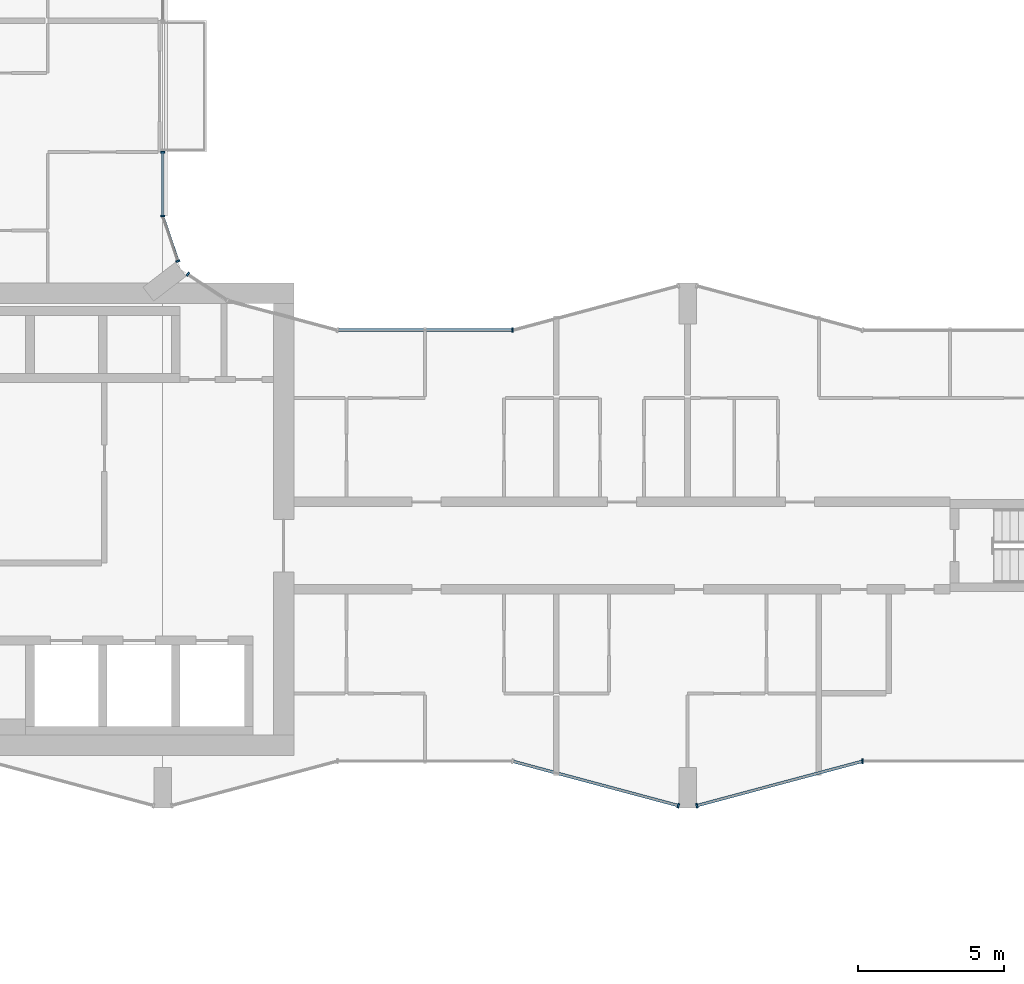
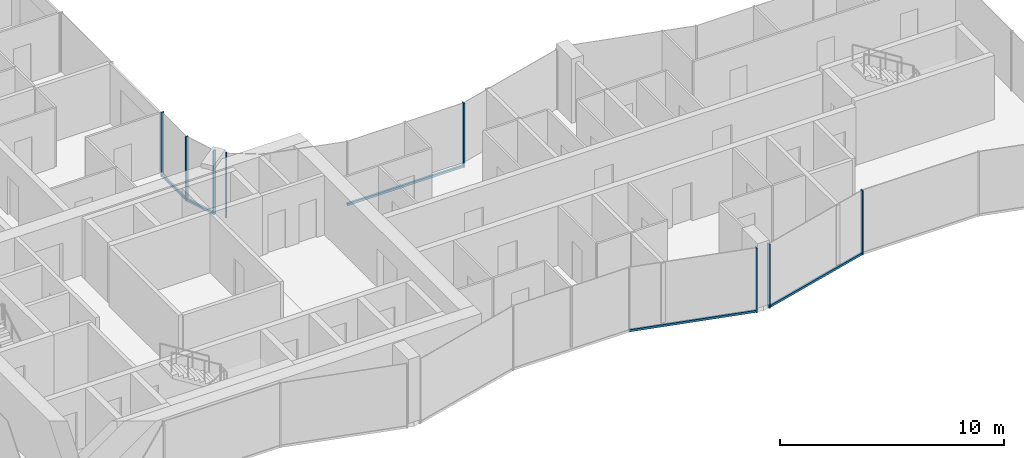
# One storey, part 4 of 23: 13 members, 7 elements without a shape of their own.
"""IFC4 building model written with IfcOpenShell, lengths in metres."""

from ifc_helpers import new_model, si_unit, direction, frame, origin, origin_2d, place, context, subcontext, project, spatial, rectangle, extrude, material, layer, layer_set, material_profile, profile_set, type_object, element, aggregate, save


model = new_model("IFC4")

# Units and contexts
model_context = context("Model", 3, precision=1e-05, world=origin(), true_north=direction((0.0, 1.0)))
body_context = subcontext(model_context, "Body", "Model", "MODEL_VIEW")
ifc_project = project(units=[si_unit("LENGTHUNIT", "METRE"), si_unit("AREAUNIT", "SQUARE_METRE"), si_unit("VOLUMEUNIT", "CUBIC_METRE"), si_unit("PLANEANGLEUNIT", "RADIAN"), si_unit("MASSUNIT", "GRAM", prefix="KILO")], contexts=[model_context])

# Site, building, storey
site_placement = place(None, origin())
site = spatial("IfcSite", under=ifc_project, at=site_placement, CompositionType="ELEMENT")
building_placement = place(site_placement, origin())
building = spatial("IfcBuilding", under=site, at=building_placement, Name="Plateau Cross Towers", CompositionType="ELEMENT")
storey_placement = place(building_placement, frame((0.0, 0.0, 85.300048828125)))
storey = spatial("IfcBuildingStorey", under=building, at=storey_placement, Name="L21", CompositionType="ELEMENT", Elevation=85.300048828125)

# Curtain wall, member
ifc_material_1 = material(Name="Dark low-iron glass", Category="glass")
ifc_layer_1 = layer(ifc_material_1, 0.239990234375)
ifc_layer_set_1 = layer_set([ifc_layer_1], Name="Dark low-iron glass")
curtain_wall_type_1 = type_object("IfcCurtainWallType", Name="Curtain wall flush unitised CW-B", PredefinedType="NOTDEFINED", material=ifc_layer_set_1)
curtain_wall_1_placement = place(storey_placement, origin())
curtain_wall_1 = element("IfcCurtainWall", 1, at=curtain_wall_1_placement, inside=storey, type_object=curtain_wall_type_1, Name="ENV/A/L21/A202_174", PredefinedType="NOTDEFINED")
ifc_material_2 = material(Name="Black anodised aluminium", Category="aluminium")
ifc_material_profile_1 = material_profile(ifc_material_2, rectangle(XDim=0.06005859375, YDim=0.139892578125, at=origin_2d()), Name="MULLION 60x140")
ifc_profile_set_1 = profile_set([ifc_material_profile_1], Name="Black anodised aluminium")
member_type_1 = type_object("IfcMemberType", Name="Mullion 60x140 flush unitised", PredefinedType="MULLION", material=ifc_profile_set_1)
member_1_placement = place(storey_placement, frame((18.86962890625, 18.30908203125, -0.25), z_axis=(0.0, 0.0, 1.0), x_axis=(-0.831521253329, 0.555492938984, 0.0)))
member_1 = element("IfcMember", 2, at=member_1_placement, type_object=member_type_1, Name="CW-B mullion 2", PredefinedType="MULLION", context=body_context, shape_type="SweptSolid", body=[
    extrude(rectangle(XDim=0.06005859375, YDim=0.139892578125, at=origin_2d()), origin(), (0.0, 0.0, 1.0), 3.5),
])
aggregate(curtain_wall_1, [member_1])

curtain_wall_2_placement = place(storey_placement, origin())
curtain_wall_2 = element("IfcCurtainWall", 3, at=curtain_wall_2_placement, inside=storey, type_object=curtain_wall_type_1, Name="ENV/A/L21/A185_188", PredefinedType="NOTDEFINED")
member_2_placement = place(storey_placement, frame((18.523681640625, 18.760009765625, -0.25), z_axis=(0.0, 0.0, 1.0), x_axis=(-0.321469161574, 0.94692004845, 0.0)))
member_2 = element("IfcMember", 4, at=member_2_placement, type_object=member_type_1, Name="CW-B mullion 1", PredefinedType="MULLION", context=body_context, shape_type="SweptSolid", body=[
    extrude(rectangle(XDim=0.06005859375, YDim=0.139892578125, at=origin_2d()), origin(), (0.0, 0.0, 1.0), 3.5),
])

# Curtain wall, members
curtain_wall_3_placement = place(storey_placement, origin())
curtain_wall_3 = element("IfcCurtainWall", 5, at=curtain_wall_3_placement, inside=storey, type_object=curtain_wall_type_1, Name="ENV/A/L21/A180_203", PredefinedType="NOTDEFINED")
member_3_placement = place(storey_placement, frame((18.0, 20.30224609375, -0.25), z_axis=(0.0, 0.0, 1.0), x_axis=(0.0, 1.0, 0.0)))
member_3 = element("IfcMember", 6, at=member_3_placement, type_object=member_type_1, Name="CW-B mullion 1", PredefinedType="MULLION", context=body_context, shape_type="SweptSolid", body=[
    extrude(rectangle(XDim=0.06005859375, YDim=0.139892578125, at=origin_2d()), origin(), (0.0, 0.0, 1.0), 3.5),
])
member_4_placement = place(storey_placement, frame((18.0, 22.489990234375, -0.25), z_axis=(0.0, 0.0, 1.0), x_axis=(0.0, 1.0, 0.0)))
member_4 = element("IfcMember", 7, at=member_4_placement, type_object=member_type_1, Name="CW-B mullion 2", PredefinedType="MULLION", context=body_context, shape_type="SweptSolid", body=[
    extrude(rectangle(XDim=0.06005859375, YDim=0.139892578125, at=origin_2d()), origin(), (0.0, 0.0, 1.0), 3.5),
])

# Curtain wall, member
ifc_layer_2 = layer(ifc_material_1, 0.260009765625)
ifc_layer_set_2 = layer_set([ifc_layer_2], Name="Dark low-iron glass")
curtain_wall_type_2 = type_object("IfcCurtainWallType", Name="Curtain wall fluted unitised CW-A", PredefinedType="NOTDEFINED", material=ifc_layer_set_2)
curtain_wall_4_placement = place(storey_placement, origin())
curtain_wall_4 = element("IfcCurtainWall", 8, at=curtain_wall_4_placement, inside=storey, type_object=curtain_wall_type_2, Name="ENV/A/L21/A300_16", PredefinedType="NOTDEFINED")
ifc_material_profile_2 = material_profile(ifc_material_2, rectangle(XDim=0.06005859375, YDim=0.159912109375, at=origin_2d()), Name="MULLION 60x160")
ifc_profile_set_2 = profile_set([ifc_material_profile_2], Name="Black anodised aluminium")
member_type_2 = type_object("IfcMemberType", Name="Mullion 60x160 fluted unitised", PredefinedType="MULLION", material=ifc_profile_set_2)
member_5_placement = place(storey_placement, frame((35.68212890625, 0.085205078125, -0.25), z_axis=(0.0, 0.0, 1.0), x_axis=(0.965957983404, -0.258699003279, 0.0)))
member_5 = element("IfcMember", 9, at=member_5_placement, type_object=member_type_2, Name="CW-A mullion 2", PredefinedType="MULLION", context=body_context, shape_type="SweptSolid", body=[
    extrude(rectangle(XDim=0.06005859375, YDim=0.159912109375, at=origin_2d()), origin(), (0.0, 0.0, 1.0), 3.5),
])

curtain_wall_5_placement = place(storey_placement, origin())
curtain_wall_5 = element("IfcCurtainWall", 10, at=curtain_wall_5_placement, inside=storey, type_object=curtain_wall_type_2, Name="ENV/A/L21/A363_1", PredefinedType="NOTDEFINED")
member_6_placement = place(storey_placement, frame((36.31787109375, 0.085205078125, -0.25), z_axis=(0.0, 0.0, 1.0), x_axis=(0.965957983404, 0.258699003279, 0.0)))
member_6 = element("IfcMember", 11, at=member_6_placement, type_object=member_type_2, Name="CW-A mullion 1", PredefinedType="MULLION", context=body_context, shape_type="SweptSolid", body=[
    extrude(rectangle(XDim=0.06005859375, YDim=0.159912109375, at=origin_2d()), origin(), (0.0, 0.0, 1.0), 3.5),
])

curtain_wall_6_placement = place(storey_placement, origin())
curtain_wall_6 = element("IfcCurtainWall", 12, at=curtain_wall_6_placement, inside=storey, type_object=curtain_wall_type_2, Name="ENV/A/L21/A420_16", PredefinedType="NOTDEFINED")
member_7_placement = place(storey_placement, frame((42.0, 1.60693359375, -0.25), z_axis=(0.0, 0.0, 1.0), x_axis=(1.0, 0.0, 0.0)))
member_7 = element("IfcMember", 13, at=member_7_placement, type_object=member_type_2, Name="CW-A mullion 1", PredefinedType="MULLION", context=body_context, shape_type="SweptSolid", body=[
    extrude(rectangle(XDim=0.06005859375, YDim=0.159912109375, at=origin_2d()), origin(), (0.0, 0.0, 1.0), 3.5),
])
aggregate(curtain_wall_6, [member_7])

curtain_wall_7_placement = place(storey_placement, origin())
curtain_wall_7 = element("IfcCurtainWall", 14, at=curtain_wall_7_placement, inside=storey, type_object=curtain_wall_type_2, Name="ENV/A/L21/A300_164", PredefinedType="NOTDEFINED")
member_8_placement = place(storey_placement, frame((30.0, 16.39306640625, -0.25), z_axis=(0.0, 0.0, 1.0), x_axis=(-1.0, 0.0, 0.0)))
member_8 = element("IfcMember", 15, at=member_8_placement, type_object=member_type_2, Name="CW-A mullion 1", PredefinedType="MULLION", context=body_context, shape_type="SweptSolid", body=[
    extrude(rectangle(XDim=0.06005859375, YDim=0.159912109375, at=origin_2d()), origin(), (0.0, 0.0, 1.0), 3.5),
])

# Member
ifc_material_profile_3 = material_profile(ifc_material_2, rectangle(XDim=0.10009765625, YDim=0.1201171875, at=origin_2d()), Name="TRANSOM 100x120")
ifc_profile_set_3 = profile_set([ifc_material_profile_3], Name="Black anodised aluminium")
member_type_3 = type_object("IfcMemberType", Name="Transom 100x120 flush unitised", PredefinedType="USERDEFINED", material=ifc_profile_set_3)
member_9_placement = place(storey_placement, frame((18.523681640625, 18.760009765625, -0.18994140625), z_axis=(-0.321529174838, 0.946899672472, 0.0), x_axis=(-0.946899672472, -0.321529174838, 0.0)))
member_9 = element("IfcMember", 16, at=member_9_placement, type_object=member_type_3, Name="CW-B transom", ObjectType="TRANSOM", PredefinedType="USERDEFINED", context=body_context, shape_type="SweptSolid", body=[
    extrude(rectangle(XDim=0.10009765625, YDim=0.1201171875, at=origin_2d()), origin(), (0.0, 0.0, 1.0), 1.628662109375),
])

aggregate(curtain_wall_2, [member_2, member_9])

member_10_placement = place(storey_placement, frame((18.0, 20.30224609375, -0.18994140625), z_axis=(0.0, 1.0, 0.0), x_axis=(-1.0, 0.0, 0.0)))
member_10 = element("IfcMember", 17, at=member_10_placement, type_object=member_type_3, Name="CW-B transom", ObjectType="TRANSOM", PredefinedType="USERDEFINED", context=body_context, shape_type="SweptSolid", body=[
    extrude(rectangle(XDim=0.10009765625, YDim=0.1201171875, at=origin_2d()), origin(), (0.0, 0.0, 1.0), 2.187744140625),
])

aggregate(curtain_wall_3, [member_3, member_4, member_10])

ifc_material_profile_4 = material_profile(ifc_material_2, rectangle(XDim=0.10009765625, YDim=0.1201171875, at=origin_2d()), Name="TRANSOM 100x120")
ifc_profile_set_4 = profile_set([ifc_material_profile_4], Name="Black anodised aluminium")
member_type_4 = type_object("IfcMemberType", Name="Transom 100x120 fluted unitised", PredefinedType="USERDEFINED", material=ifc_profile_set_4)
member_11_placement = place(storey_placement, frame((30.0, 1.60693359375, -0.18994140625), z_axis=(0.965959534794, -0.258693210465, 0.0), x_axis=(0.258693210465, 0.965959534794, 0.0)))
member_11 = element("IfcMember", 18, at=member_11_placement, type_object=member_type_4, Name="CW-A transom", ObjectType="TRANSOM", PredefinedType="USERDEFINED", context=body_context, shape_type="SweptSolid", body=[
    extrude(rectangle(XDim=0.10009765625, YDim=0.1201171875, at=origin_2d()), origin(), (0.0, 0.0, 1.0), 5.88232421875),
])

aggregate(curtain_wall_4, [member_5, member_11])

member_12_placement = place(storey_placement, frame((36.31787109375, 0.085205078125, -0.18994140625), z_axis=(0.965959534794, 0.258693210465, 0.0), x_axis=(-0.258693210465, 0.965959534794, 0.0)))
member_12 = element("IfcMember", 19, at=member_12_placement, type_object=member_type_4, Name="CW-A transom", ObjectType="TRANSOM", PredefinedType="USERDEFINED", context=body_context, shape_type="SweptSolid", body=[
    extrude(rectangle(XDim=0.10009765625, YDim=0.1201171875, at=origin_2d()), origin(), (0.0, 0.0, 1.0), 5.88232421875),
])

aggregate(curtain_wall_5, [member_6, member_12])

member_13_placement = place(storey_placement, frame((30.0, 16.39306640625, -0.18994140625), z_axis=(-1.0, 0.0, 0.0), x_axis=(0.0, -1.0, 0.0)))
member_13 = element("IfcMember", 20, at=member_13_placement, type_object=member_type_4, Name="CW-A transom", ObjectType="TRANSOM", PredefinedType="USERDEFINED", context=body_context, shape_type="SweptSolid", body=[
    extrude(rectangle(XDim=0.10009765625, YDim=0.1201171875, at=origin_2d()), origin(), (0.0, 0.0, 1.0), 6.0),
])

aggregate(curtain_wall_7, [member_8, member_13])

save(model, "model.ifc")
